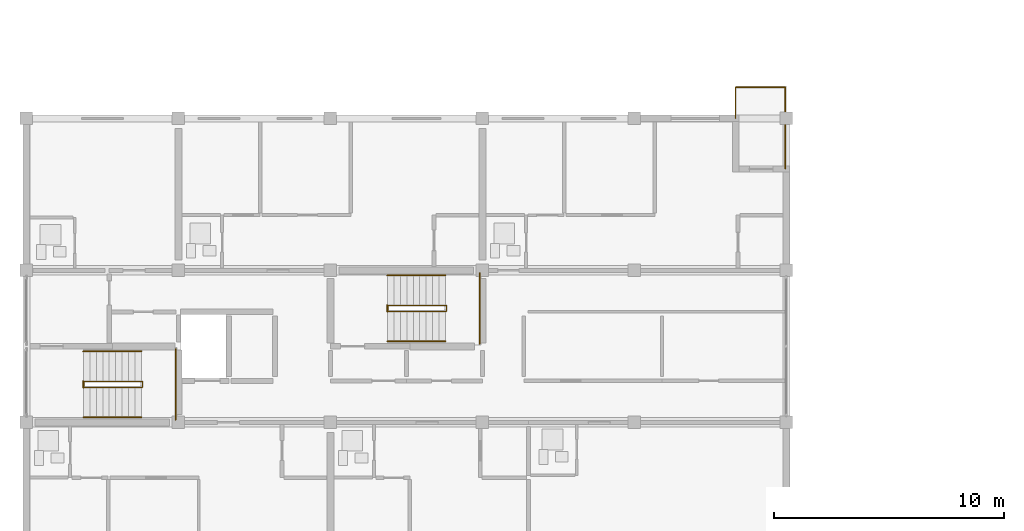
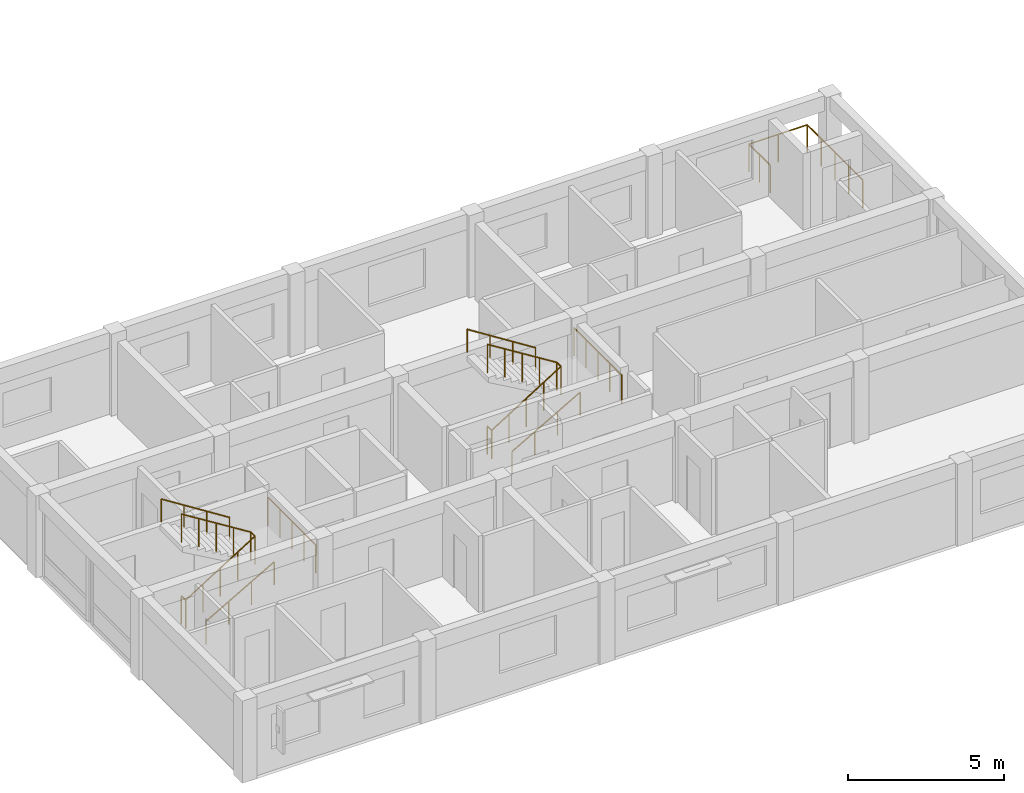
# One storey, part 46 of 49: 11 railings.
"""IFC4 building model written with IfcOpenShell, lengths in metres."""

from ifc_helpers import new_model, si_unit, direction, frame, origin, origin_2d, place, context, subcontext, project, spatial, circle, extrude, material, type_object, element, save


model = new_model("IFC4")

# Units and contexts
model_context = context("Model", 3, precision=1e-05, world=origin(), true_north=direction((0.0, 1.0)))
body_context = subcontext(model_context, "Body", "Model", "MODEL_VIEW")
ifc_project = project(units=[si_unit("LENGTHUNIT", "METRE"), si_unit("AREAUNIT", "SQUARE_METRE"), si_unit("VOLUMEUNIT", "CUBIC_METRE"), si_unit("PLANEANGLEUNIT", "RADIAN"), si_unit("MASSUNIT", "GRAM", prefix="KILO")], contexts=[model_context])

# Site, building, storey
site_placement = place(None, origin())
site = spatial("IfcSite", under=ifc_project, at=site_placement, CompositionType="ELEMENT")
building_placement = place(site_placement, origin())
building = spatial("IfcBuilding", under=site, at=building_placement, Name="Kernevlak Ridge Housing Community", CompositionType="ELEMENT")
storey_placement = place(building_placement, frame((0.0, 0.0, 30.800048828125)))
storey = spatial("IfcBuildingStorey", under=building, at=storey_placement, Name="L09", CompositionType="ELEMENT", Elevation=30.800048828125)

# Railings
ifc_material_1 = material(Name="Steel S355", Category="steel")
railing_type_1 = type_object("IfcRailingType", Name="BL-01", PredefinedType="BALUSTRADE", material=ifc_material_1)
railing_1_placement = place(storey_placement, frame((46.39990234375, 95.800048828125, 0.0)))
element("IfcRailing", 1, at=railing_1_placement, inside=storey, type_object=railing_type_1, Name="Block A L09 balcony balustrade BL-01 9", PredefinedType="BALUSTRADE", context=body_context, shape_type="SweptSolid", body=[
    extrude(circle(Radius=0.02392578125, at=origin_2d()), frame((0.0, 0.0, 1.076171875), z_axis=(0.0, 1.0, 0.0), x_axis=(-1.0, 0.0, 0.0)), (0.0, 0.0, 1.0), 1.349853515625),
    extrude(circle(Radius=0.02392578125, at=origin_2d()), frame((0.0, 1.349853515625, 1.076171875), z_axis=(1.0, 0.0, 0.0), x_axis=(0.0, 1.0, 0.0)), (0.0, 0.0, 1.0), 2.150146484375),
    extrude(circle(Radius=0.02392578125, at=origin_2d()), frame((2.150146484375, 1.349853515625, 1.076171875), z_axis=(0.0, -1.0, 0.0), x_axis=(1.0, 0.0, 0.0)), (0.0, 0.0, 1.0), 3.5498046875),
    extrude(circle(Radius=0.02099609375, at=origin_2d()), origin(), (0.0, 0.0, 1.0), 1.052001953125),
    extrude(circle(Radius=0.02099609375, at=origin_2d()), frame((0.0, 0.6748046875, 0.0)), (0.0, 0.0, 1.0), 1.052001953125),
    extrude(circle(Radius=0.02099609375, at=origin_2d()), frame((0.0, 1.349853515625, 0.0)), (0.0, 0.0, 1.0), 1.052001953125),
    extrude(circle(Radius=0.02099609375, at=origin_2d()), frame((1.0751953125, 1.349853515625, 0.0)), (0.0, 0.0, 1.0), 1.052001953125),
    extrude(circle(Radius=0.02099609375, at=origin_2d()), frame((2.150146484375, 1.349853515625, 0.0)), (0.0, 0.0, 1.0), 1.052001953125),
    extrude(circle(Radius=0.02099609375, at=origin_2d()), frame((2.150146484375, 0.46240234375, 0.0)), (0.0, 0.0, 1.0), 1.052001953125),
    extrude(circle(Radius=0.02099609375, at=origin_2d()), frame((2.150146484375, -0.425048828125, 0.0)), (0.0, 0.0, 1.0), 1.052001953125),
    extrude(circle(Radius=0.02099609375, at=origin_2d()), frame((2.150146484375, -1.3125, 0.0)), (0.0, 0.0, 1.0), 1.052001953125),
    extrude(circle(Radius=0.02099609375, at=origin_2d()), frame((2.150146484375, -2.199951171875, 0.0)), (0.0, 0.0, 1.0), 1.052001953125),
])
railing_type_2 = type_object("IfcRailingType", Name="GR-02", PredefinedType="GUARDRAIL", material=ifc_material_1)
railing_2_placement = place(storey_placement, frame((18.080078125, 84.110107421875, 0.0)))
element("IfcRailing", 2, at=railing_2_placement, inside=storey, type_object=railing_type_2, Name="Stair ST-A1 L09 well slot guard", PredefinedType="GUARDRAIL", context=body_context, shape_type="SweptSolid", body=[
    extrude(circle(Radius=0.02392578125, at=origin_2d()), frame((0.0, 0.0, 1.09619140625), z_axis=(0.0, 1.0, 0.0), x_axis=(-1.0, 0.0, 0.0)), (0.0, 0.0, 1.0), 0.27978515625),
    extrude(circle(Radius=0.02099609375, at=origin_2d()), origin(), (0.0, 0.0, 1.0), 1.072021484375),
    extrude(circle(Radius=0.02099609375, at=origin_2d()), frame((0.0, 0.27978515625, 0.0)), (0.0, 0.0, 1.0), 1.072021484375),
])
railing_3_placement = place(storey_placement, frame((18.080078125, 84.1201171875, 0.0)))
element("IfcRailing", 3, at=railing_3_placement, inside=storey, type_object=railing_type_2, Name="Stair ST-A1 L09 inner well guardrail", PredefinedType="GUARDRAIL", context=body_context, shape_type="SweptSolid", body=[
    extrude(circle(Radius=0.02392578125, at=origin_2d()), frame((0.0, 0.0, 1.09619140625), z_axis=(0.848002847666, 0.0, 0.529991670077), x_axis=(0.0, 1.0, 0.0)), (0.0, 0.0, 1.0), 3.0185546875),
    extrude(circle(Radius=0.02392578125, at=origin_2d()), frame((2.559814453125, 0.0, 2.69580078125), z_axis=(0.0, 1.0, 0.0), x_axis=(-1.0, 0.0, 0.0)), (0.0, 0.0, 1.0), 0.259765625),
    extrude(circle(Radius=0.02392578125, at=origin_2d()), frame((2.559814453125, 0.259765625, 2.69580078125), z_axis=(-0.847966497998, 0.0, 0.530049826217), x_axis=(0.0, -1.0, 0.0)), (0.0, 0.0, 1.0), 3.018798828125),
    extrude(circle(Radius=0.02099609375, at=origin_2d()), origin(), (0.0, 0.0, 1.0), 1.072021484375),
    extrude(circle(Radius=0.02099609375, at=origin_2d()), frame((0.639892578125, 0.0, 0.39990234375)), (0.0, 0.0, 1.0), 1.072021484375),
    extrude(circle(Radius=0.02099609375, at=origin_2d()), frame((1.27978515625, 0.0, 0.7998046875)), (0.0, 0.0, 1.0), 1.072021484375),
    extrude(circle(Radius=0.02099609375, at=origin_2d()), frame((1.919921875, 0.0, 1.199951171875)), (0.0, 0.0, 1.0), 1.072021484375),
    extrude(circle(Radius=0.02099609375, at=origin_2d()), frame((2.559814453125, 0.0, 1.599853515625)), (0.0, 0.0, 1.0), 1.072021484375),
    extrude(circle(Radius=0.02099609375, at=origin_2d()), frame((2.559814453125, 0.259765625, 1.599853515625)), (0.0, 0.0, 1.0), 1.072021484375),
    extrude(circle(Radius=0.02099609375, at=origin_2d()), frame((1.919921875, 0.259765625, 2.0)), (0.0, 0.0, 1.0), 1.072021484375),
    extrude(circle(Radius=0.02099609375, at=origin_2d()), frame((1.27978515625, 0.259765625, 2.39990234375)), (0.0, 0.0, 1.0), 1.072021484375),
    extrude(circle(Radius=0.02099609375, at=origin_2d()), frame((0.639892578125, 0.259765625, 2.7998046875)), (0.0, 0.0, 1.0), 1.072021484375),
    extrude(circle(Radius=0.02099609375, at=origin_2d()), frame((0.0, 0.259765625, 3.199951171875)), (0.0, 0.0, 1.0), 1.072021484375),
])
railing_4_placement = place(storey_placement, frame((22.080078125, 82.719970703125, 1.599853515625)))
element("IfcRailing", 4, at=railing_4_placement, inside=storey, type_object=railing_type_2, Name="Stair ST-A1 L09 half-landing guard", PredefinedType="GUARDRAIL", context=body_context, shape_type="SweptSolid", body=[
    extrude(circle(Radius=0.02392578125, at=origin_2d()), frame((0.0, 0.0, 1.09619140625), z_axis=(0.0, 1.0, 0.0), x_axis=(-1.0, 0.0, 0.0)), (0.0, 0.0, 1.0), 3.06005859375),
    extrude(circle(Radius=0.02099609375, at=origin_2d()), origin(), (0.0, 0.0, 1.0), 1.072021484375),
    extrude(circle(Radius=0.02099609375, at=origin_2d()), frame((0.0, 0.76513671875, 0.0)), (0.0, 0.0, 1.0), 1.072021484375),
    extrude(circle(Radius=0.02099609375, at=origin_2d()), frame((0.0, 1.530029296875, 0.0)), (0.0, 0.0, 1.0), 1.072021484375),
    extrude(circle(Radius=0.02099609375, at=origin_2d()), frame((0.0, 2.294921875, 0.0)), (0.0, 0.0, 1.0), 1.072021484375),
    extrude(circle(Radius=0.02099609375, at=origin_2d()), frame((0.0, 3.06005859375, 0.0)), (0.0, 0.0, 1.0), 1.072021484375),
])
railing_5_placement = place(storey_placement, frame((31.280029296875, 87.409912109375, 0.0)))
element("IfcRailing", 5, at=railing_5_placement, inside=storey, type_object=railing_type_2, Name="Stair ST-A2 L09 well slot guard", PredefinedType="GUARDRAIL", context=body_context, shape_type="SweptSolid", body=[
    extrude(circle(Radius=0.02392578125, at=origin_2d()), frame((0.0, 0.0, 1.09619140625), z_axis=(0.0, 1.0, 0.0), x_axis=(-1.0, 0.0, 0.0)), (0.0, 0.0, 1.0), 0.280029296875),
    extrude(circle(Radius=0.02099609375, at=origin_2d()), origin(), (0.0, 0.0, 1.0), 1.072021484375),
    extrude(circle(Radius=0.02099609375, at=origin_2d()), frame((0.0, 0.280029296875, 0.0)), (0.0, 0.0, 1.0), 1.072021484375),
])
railing_6_placement = place(storey_placement, frame((31.280029296875, 87.419921875, 0.0)))
element("IfcRailing", 6, at=railing_6_placement, inside=storey, type_object=railing_type_2, Name="Stair ST-A2 L09 inner well guardrail", PredefinedType="GUARDRAIL", context=body_context, shape_type="SweptSolid", body=[
    extrude(circle(Radius=0.02392578125, at=origin_2d()), frame((0.0, 0.0, 1.09619140625), z_axis=(0.848025563165, 0.0, 0.529955322851), x_axis=(0.0, 1.0, 0.0)), (0.0, 0.0, 1.0), 3.018798828125),
    extrude(circle(Radius=0.02392578125, at=origin_2d()), frame((2.56005859375, 0.0, 2.69580078125), z_axis=(0.0, 1.0, 0.0), x_axis=(-1.0, 0.0, 0.0)), (0.0, 0.0, 1.0), 0.260009765625),
    extrude(circle(Radius=0.02392578125, at=origin_2d()), frame((2.56005859375, 0.260009765625, 2.69580078125), z_axis=(-0.847989217509, 0.0, 0.530013478119), x_axis=(0.0, -1.0, 0.0)), (0.0, 0.0, 1.0), 3.01904296875),
    extrude(circle(Radius=0.02099609375, at=origin_2d()), origin(), (0.0, 0.0, 1.0), 1.072021484375),
    extrude(circle(Radius=0.02099609375, at=origin_2d()), frame((0.64013671875, 0.0, 0.39990234375)), (0.0, 0.0, 1.0), 1.072021484375),
    extrude(circle(Radius=0.02099609375, at=origin_2d()), frame((1.280029296875, 0.0, 0.7998046875)), (0.0, 0.0, 1.0), 1.072021484375),
    extrude(circle(Radius=0.02099609375, at=origin_2d()), frame((1.919921875, 0.0, 1.199951171875)), (0.0, 0.0, 1.0), 1.072021484375),
    extrude(circle(Radius=0.02099609375, at=origin_2d()), frame((2.56005859375, 0.0, 1.599853515625)), (0.0, 0.0, 1.0), 1.072021484375),
    extrude(circle(Radius=0.02099609375, at=origin_2d()), frame((2.56005859375, 0.260009765625, 1.599853515625)), (0.0, 0.0, 1.0), 1.072021484375),
    extrude(circle(Radius=0.02099609375, at=origin_2d()), frame((1.919921875, 0.260009765625, 2.0)), (0.0, 0.0, 1.0), 1.072021484375),
    extrude(circle(Radius=0.02099609375, at=origin_2d()), frame((1.280029296875, 0.260009765625, 2.39990234375)), (0.0, 0.0, 1.0), 1.072021484375),
    extrude(circle(Radius=0.02099609375, at=origin_2d()), frame((0.64013671875, 0.260009765625, 2.7998046875)), (0.0, 0.0, 1.0), 1.072021484375),
    extrude(circle(Radius=0.02099609375, at=origin_2d()), frame((0.0, 0.260009765625, 3.199951171875)), (0.0, 0.0, 1.0), 1.072021484375),
])
railing_7_placement = place(storey_placement, frame((35.280029296875, 86.02001953125, 1.599853515625)))
element("IfcRailing", 7, at=railing_7_placement, inside=storey, type_object=railing_type_2, Name="Stair ST-A2 L09 half-landing guard", PredefinedType="GUARDRAIL", context=body_context, shape_type="SweptSolid", body=[
    extrude(circle(Radius=0.02392578125, at=origin_2d()), frame((0.0, 0.0, 1.09619140625), z_axis=(0.0, 1.0, 0.0), x_axis=(-1.0, 0.0, 0.0)), (0.0, 0.0, 1.0), 3.06005859375),
    extrude(circle(Radius=0.02099609375, at=origin_2d()), origin(), (0.0, 0.0, 1.0), 1.072021484375),
    extrude(circle(Radius=0.02099609375, at=origin_2d()), frame((0.0, 0.76513671875, 0.0)), (0.0, 0.0, 1.0), 1.072021484375),
    extrude(circle(Radius=0.02099609375, at=origin_2d()), frame((0.0, 1.530029296875, 0.0)), (0.0, 0.0, 1.0), 1.072021484375),
    extrude(circle(Radius=0.02099609375, at=origin_2d()), frame((0.0, 2.294921875, 0.0)), (0.0, 0.0, 1.0), 1.072021484375),
    extrude(circle(Radius=0.02099609375, at=origin_2d()), frame((0.0, 3.06005859375, 0.0)), (0.0, 0.0, 1.0), 1.072021484375),
])
ifc_material_2 = material(Name="Stainless steel EN 1.4401", Category="steel")
railing_type_3 = type_object("IfcRailingType", Name="HR-01", PredefinedType="HANDRAIL", material=ifc_material_2)
railing_8_placement = place(storey_placement, frame((18.080078125, 82.820068359375, 0.159912109375)))
element("IfcRailing", 8, at=railing_8_placement, inside=storey, type_object=railing_type_3, Name="Stair ST-A1 L09 flight 1 handrail", PredefinedType="HANDRAIL", context=body_context, shape_type="SweptSolid", body=[
    extrude(circle(Radius=0.02392578125, at=origin_2d()), frame((0.0, 0.0, 0.89599609375), z_axis=(0.868253494771, 0.0, 0.496120820787), x_axis=(0.0, 1.0, 0.0)), (0.0, 0.0, 1.0), 2.90234375),
    extrude(circle(Radius=0.02099609375, at=origin_2d()), origin(), (0.0, 0.0, 1.0), 0.871826171875),
    extrude(circle(Radius=0.02099609375, at=origin_2d()), frame((0.840087890625, 0.0, 0.47998046875)), (0.0, 0.0, 1.0), 0.871826171875),
    extrude(circle(Radius=0.02099609375, at=origin_2d()), frame((1.679931640625, 0.0, 0.9599609375)), (0.0, 0.0, 1.0), 0.871826171875),
    extrude(circle(Radius=0.02099609375, at=origin_2d()), frame((2.52001953125, 0.0, 1.43994140625)), (0.0, 0.0, 1.0), 0.871826171875),
])
railing_9_placement = place(storey_placement, frame((20.60009765625, 85.679931640625, 1.599853515625)))
element("IfcRailing", 9, at=railing_9_placement, inside=storey, type_object=railing_type_3, Name="Stair ST-A1 L09 flight 2 handrail", PredefinedType="HANDRAIL", context=body_context, shape_type="SweptSolid", body=[
    extrude(circle(Radius=0.02392578125, at=origin_2d()), frame((0.0, 0.0, 0.89599609375), z_axis=(-0.844199891302, 0.0, 0.536028491338), x_axis=(0.0, -1.0, 0.0)), (0.0, 0.0, 1.0), 2.985107421875),
    extrude(circle(Radius=0.02099609375, at=origin_2d()), origin(), (0.0, 0.0, 1.0), 0.871826171875),
    extrude(circle(Radius=0.02099609375, at=origin_2d()), frame((-0.840087890625, 0.0, 0.533447265625)), (0.0, 0.0, 1.0), 0.871826171875),
    extrude(circle(Radius=0.02099609375, at=origin_2d()), frame((-1.679931640625, 0.0, 1.066650390625)), (0.0, 0.0, 1.0), 0.871826171875),
    extrude(circle(Radius=0.02099609375, at=origin_2d()), frame((-2.52001953125, 0.0, 1.60009765625)), (0.0, 0.0, 1.0), 0.871826171875),
])
railing_10_placement = place(storey_placement, frame((31.280029296875, 86.1201171875, 0.159912109375)))
element("IfcRailing", 10, at=railing_10_placement, inside=storey, type_object=railing_type_3, Name="Stair ST-A2 L09 flight 1 handrail", PredefinedType="HANDRAIL", context=body_context, shape_type="SweptSolid", body=[
    extrude(circle(Radius=0.02392578125, at=origin_2d()), frame((0.0, 0.0, 0.89599609375), z_axis=(0.868253494771, 0.0, 0.496120820787), x_axis=(0.0, 1.0, 0.0)), (0.0, 0.0, 1.0), 2.90234375),
    extrude(circle(Radius=0.02099609375, at=origin_2d()), origin(), (0.0, 0.0, 1.0), 0.871826171875),
    extrude(circle(Radius=0.02099609375, at=origin_2d()), frame((0.840087890625, 0.0, 0.47998046875)), (0.0, 0.0, 1.0), 0.871826171875),
    extrude(circle(Radius=0.02099609375, at=origin_2d()), frame((1.679931640625, 0.0, 0.9599609375)), (0.0, 0.0, 1.0), 0.871826171875),
    extrude(circle(Radius=0.02099609375, at=origin_2d()), frame((2.52001953125, 0.0, 1.43994140625)), (0.0, 0.0, 1.0), 0.871826171875),
])
railing_11_placement = place(storey_placement, frame((33.800048828125, 88.97998046875, 1.599853515625)))
element("IfcRailing", 11, at=railing_11_placement, inside=storey, type_object=railing_type_3, Name="Stair ST-A2 L09 flight 2 handrail", PredefinedType="HANDRAIL", context=body_context, shape_type="SweptSolid", body=[
    extrude(circle(Radius=0.02392578125, at=origin_2d()), frame((0.0, 0.0, 0.89599609375), z_axis=(-0.844199891302, 0.0, 0.536028491338), x_axis=(0.0, -1.0, 0.0)), (0.0, 0.0, 1.0), 2.985107421875),
    extrude(circle(Radius=0.02099609375, at=origin_2d()), origin(), (0.0, 0.0, 1.0), 0.871826171875),
    extrude(circle(Radius=0.02099609375, at=origin_2d()), frame((-0.840087890625, 0.0, 0.533447265625)), (0.0, 0.0, 1.0), 0.871826171875),
    extrude(circle(Radius=0.02099609375, at=origin_2d()), frame((-1.679931640625, 0.0, 1.066650390625)), (0.0, 0.0, 1.0), 0.871826171875),
    extrude(circle(Radius=0.02099609375, at=origin_2d()), frame((-2.52001953125, 0.0, 1.60009765625)), (0.0, 0.0, 1.0), 0.871826171875),
])

save(model, "model.ifc")
